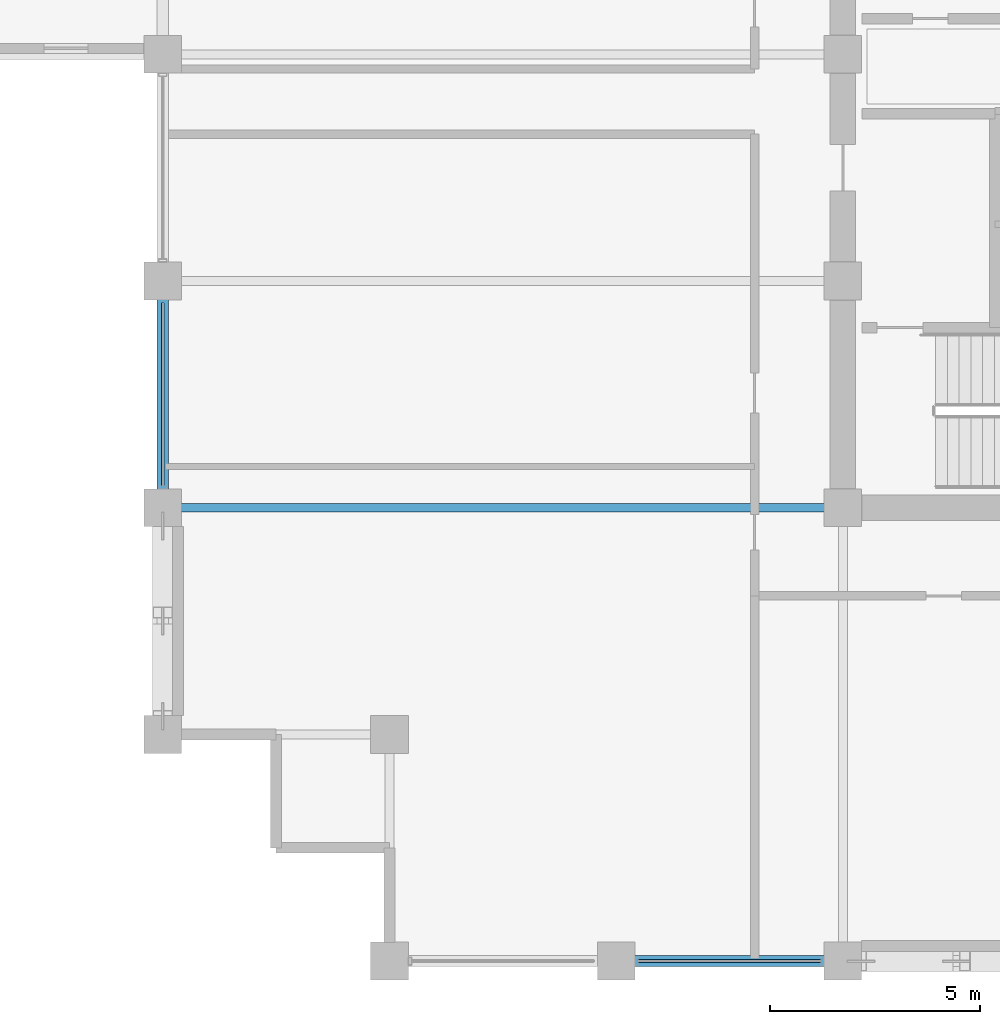
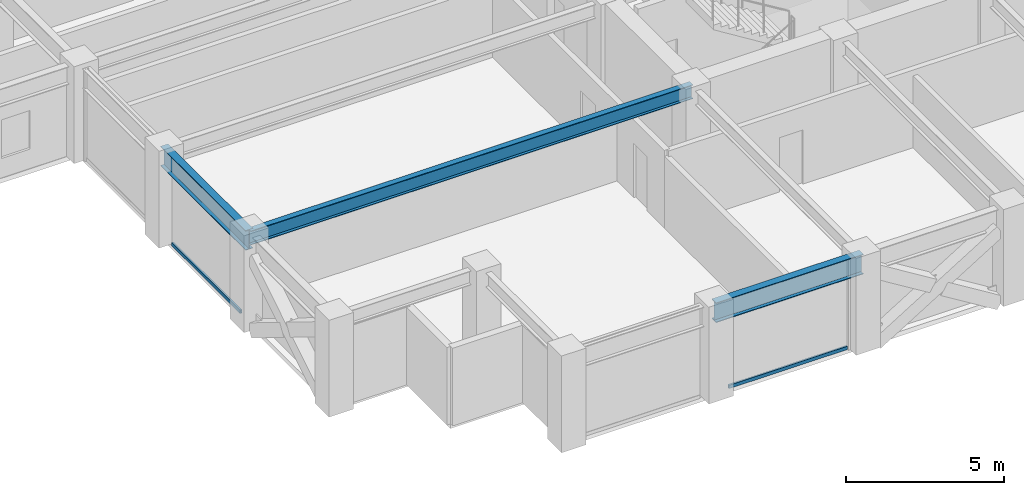
# One storey, part 3 of 28: 3 beams, 2 members, 2 elements without a shape of their own.
"""IFC4 building model written with IfcOpenShell, lengths in metres."""

import ifcopenshell
import ifcopenshell.guid

model = None  # the IFC model being written
_history = None  # IfcOwnerHistory: only IFC2X3 demands one
_inside = {}  # id of a spatial element -> (the spatial element, [elements in it])
_under = {}  # id of a project, library or spatial element -> (it, [spatial elements below it])
_declared = {}  # id of a project -> (the project, [libraries it declares])
_typed = {}  # id of a type object -> (the type object, [elements of that type])
_made_of = {}  # id of a material, layer set ... -> (it, [elements and type objects made of it])


def new_model(schema):
    """Start an empty IFC model of exactly this schema.

    Asked for "IFC4X3", IfcOpenShell would pick the latest addendum, in which some entities
    have other attributes; the version numbers below select the first issue.
    IFC2X3 requires an IfcOwnerHistory on every rooted entity: one is made here for all.
    """
    global model, _history
    if schema == "IFC4X3":
        model = ifcopenshell.file(schema_version=(4, 3, 0, 0))
    else:
        model = ifcopenshell.file(schema=schema)
    _inside.clear()
    _under.clear()
    _declared.clear()
    _typed.clear()
    _made_of.clear()
    _history = None
    if model.schema == "IFC2X3":
        org = make("IfcOrganization", Name="unknown")
        user = make(
            "IfcPersonAndOrganization",
            ThePerson=make("IfcPerson", FamilyName="unknown"),
            TheOrganization=org,
        )
        app = make(
            "IfcApplication",
            ApplicationDeveloper=org,
            Version="unknown",
            ApplicationFullName="unknown",
            ApplicationIdentifier="unknown",
        )
        _history = make(
            "IfcOwnerHistory",
            OwningUser=user,
            OwningApplication=app,
            ChangeAction="ADDED",
            CreationDate=0,
        )
    return model


def make(cls, **values):
    """One entity of the class cls with the attributes given. An attribute that is None is left unset."""
    return model.create_entity(
        cls, **{name: value for name, value in values.items() if value is not None}
    )


def rooted(cls, **values):
    """An entity with a GlobalId (a new one), such as an element, a storey or a relation."""
    return make(cls, GlobalId=ifcopenshell.guid.new(), OwnerHistory=_history, **values)


def si_unit(unit_type, name, prefix=None):
    """IfcSIUnit, for example si_unit("LENGTHUNIT", "METRE", prefix="MILLI")."""
    return make("IfcSIUnit", UnitType=unit_type, Prefix=prefix, Name=name)


def assignment(units):
    """IfcUnitAssignment: the units of a project."""
    return None if units is None else make("IfcUnitAssignment", Units=units)


def point(xyz):
    """IfcCartesianPoint."""
    return None if xyz is None else make("IfcCartesianPoint", Coordinates=xyz)


def direction(xyz):
    """IfcDirection."""
    return None if xyz is None else make("IfcDirection", DirectionRatios=xyz)


def frame(location, z_axis=None, x_axis=None):
    """IfcAxis2Placement3D, a coordinate frame: its origin and axes. An axis left out is left unset."""
    return make(
        "IfcAxis2Placement3D",
        Location=point(location),
        Axis=direction(z_axis),
        RefDirection=direction(x_axis),
    )


def frame_2d(location, x_axis=None):
    """IfcAxis2Placement2D, a coordinate frame in the plane: its origin and x axis."""
    return make(
        "IfcAxis2Placement2D", Location=point(location), RefDirection=direction(x_axis)
    )


def origin():
    """The frame at (0, 0, 0) with its axes left unset."""
    return frame((0.0, 0.0, 0.0))


def origin_2d():
    """The frame at (0, 0) in the plane with its x axis left unset."""
    return frame_2d((0.0, 0.0))


def place(relative_to, where):
    """IfcLocalPlacement: puts the frame where relative to a parent placement (None: the world)."""
    return make(
        "IfcLocalPlacement", PlacementRelTo=relative_to, RelativePlacement=where
    )


def context(
    kind, dimensions, precision=None, world=None, true_north=None, identifier=None
):
    """IfcGeometricRepresentationContext, for example the 3D "Model" context."""
    return make(
        "IfcGeometricRepresentationContext",
        ContextIdentifier=identifier,
        ContextType=kind,
        CoordinateSpaceDimension=dimensions,
        Precision=precision,
        WorldCoordinateSystem=world,
        TrueNorth=true_north,
    )


def subcontext(parent, identifier, kind, view, scale=None):
    """IfcGeometricRepresentationSubContext, for example "Body" below "Model"."""
    return make(
        "IfcGeometricRepresentationSubContext",
        ContextIdentifier=identifier,
        ContextType=kind,
        ParentContext=parent,
        TargetScale=scale,
        TargetView=view,
    )


def project(units=None, contexts=None):
    """IfcProject with its units and contexts."""
    return rooted(
        "IfcProject",
        Name="project",
        RepresentationContexts=contexts,
        UnitsInContext=assignment(units),
    )


def spatial(cls, under=None, at=None, **own):
    """A site, building, storey or space (cls), placed at a placement, below another one or the project."""
    s = rooted(cls, ObjectPlacement=at, **own)
    if under is not None:
        _under.setdefault(under.id(), (under, []))[1].append(s)
    return s


def profile(cls, at=None, kind="AREA", **sizes):
    """A parametric profile (cls). Its sizes go by their IFC names, for example OverallWidth=200.0."""
    return make(cls, ProfileType=kind, Position=at, **sizes)


def hollow_rectangle(**sizes):
    """IfcRectangleHollowProfileDef."""
    return profile("IfcRectangleHollowProfileDef", **sizes)


def i_section(**sizes):
    """IfcIShapeProfileDef."""
    return profile("IfcIShapeProfileDef", **sizes)


def extrude(swept, where, along, depth):
    """IfcExtrudedAreaSolid: the profile swept, set in the frame where, extruded along a direction by depth."""
    return make(
        "IfcExtrudedAreaSolid",
        SweptArea=swept,
        Position=where,
        ExtrudedDirection=direction(along),
        Depth=depth,
    )


def shape(context_of_items, identifier, shape_type, items):
    """IfcShapeRepresentation: the items that make up one representation, for example the "Body"."""
    return make(
        "IfcShapeRepresentation",
        ContextOfItems=context_of_items,
        RepresentationIdentifier=identifier,
        RepresentationType=shape_type,
        Items=items,
    )


def material(Name=None, Category=None):
    """IfcMaterial."""
    return make("IfcMaterial", Name=Name, Category=Category)


def layer(
    of_material, thickness, ventilated=None, Name=None, Category=None, Priority=None
):
    """IfcMaterialLayer: one layer of a wall or slab, of a material (None: an air gap)."""
    return make(
        "IfcMaterialLayer",
        Material=of_material,
        LayerThickness=thickness,
        IsVentilated=ventilated,
        Name=Name,
        Category=Category,
        Priority=Priority,
    )


def layer_set(layers, Name=None):
    """IfcMaterialLayerSet."""
    return make("IfcMaterialLayerSet", MaterialLayers=layers, LayerSetName=Name)


def material_profile(
    of_material, cross_section, Name=None, Category=None, Priority=None
):
    """IfcMaterialProfile: a cross section and its material."""
    return make(
        "IfcMaterialProfile",
        Name=Name,
        Material=of_material,
        Profile=cross_section,
        Priority=Priority,
        Category=Category,
    )


def profile_set(profiles, Name=None, composite=None):
    """IfcMaterialProfileSet."""
    return make(
        "IfcMaterialProfileSet",
        Name=Name,
        MaterialProfiles=profiles,
        CompositeProfile=composite,
    )


def made_of(thing, what):
    """Note that an element or type object is made of a material, layer set ...; save() writes the relation."""
    if what is not None:
        _made_of.setdefault(what.id(), (what, []))[1].append(thing)
    return thing


def type_object(cls, material=None, **own):
    """A type object (cls), such as IfcWallType, which elements share."""
    return made_of(rooted(cls, **own), material)


def element(
    cls,
    number,
    at=None,
    inside=None,
    cuts=None,
    type_object=None,
    material=None,
    context=None,
    identifier="Body",
    shape_type=None,
    held_by="IfcProductDefinitionShape",
    body=None,
    shapes=None,
    **own,
):
    """One element of the class cls, such as IfcWall. Its Tag is "e" and its number.

    at: its placement. inside: the storey or other place that contains it. cuts: it is an
    opening in that element (IfcRelVoidsElement). A single representation is given by context,
    identifier, shape_type and body (its items); several are given by shapes. held_by: the class
    of the entity that holds the representations. save() writes the other relations.
    """
    e = rooted(cls, Tag="e%d" % number, ObjectPlacement=at, **own)
    if body is not None:
        shapes = [shape(context, identifier, shape_type, body)]
    if shapes is not None:
        e.Representation = make(held_by, Representations=shapes)
    if inside is not None:
        _inside.setdefault(inside.id(), (inside, []))[1].append(e)
    if cuts is not None:
        rooted(
            "IfcRelVoidsElement", RelatingBuildingElement=cuts, RelatedOpeningElement=e
        )
    if type_object is not None:
        _typed.setdefault(type_object.id(), (type_object, []))[1].append(e)
    return made_of(e, material)


def aggregate(whole, parts):
    """IfcRelAggregates: a whole, such as a stair, and the parts it consists of."""
    return rooted("IfcRelAggregates", RelatingObject=whole, RelatedObjects=parts)


def save(model, path):
    """Write the relations noted so far, then the file.

    IfcRelAggregates (storeys below a building ...), IfcRelContainedInSpatialStructure (elements
    in a storey), IfcRelDefinesByType, IfcRelAssociatesMaterial and IfcRelDeclares: one each for
    every whole, place, type object, material and project.
    """
    for whole, parts in _under.values():
        aggregate(whole, parts)
    for where, things in _inside.values():
        rooted(
            "IfcRelContainedInSpatialStructure",
            RelatedElements=things,
            RelatingStructure=where,
        )
    for kind, things in _typed.values():
        rooted("IfcRelDefinesByType", RelatedObjects=things, RelatingType=kind)
    for what, things in _made_of.values():
        rooted("IfcRelAssociatesMaterial", RelatedObjects=things, RelatingMaterial=what)
    for by, libraries in _declared.values():
        rooted("IfcRelDeclares", RelatingContext=by, RelatedDefinitions=libraries)
    model.write(path)


model = new_model("IFC4")

# Units and contexts
model_context = context("Model", 3, precision=1e-05, world=origin(), true_north=direction((0.0, 1.0)))
body_context = subcontext(model_context, "Body", "Model", "MODEL_VIEW")
ifc_project = project(units=[si_unit("LENGTHUNIT", "METRE"), si_unit("AREAUNIT", "SQUARE_METRE"), si_unit("VOLUMEUNIT", "CUBIC_METRE"), si_unit("PLANEANGLEUNIT", "RADIAN"), si_unit("MASSUNIT", "GRAM", prefix="KILO")], contexts=[model_context])

# Site, building, storey
site_placement = place(None, origin())
site = spatial("IfcSite", under=ifc_project, at=site_placement, CompositionType="ELEMENT")
building_placement = place(site_placement, origin())
building = spatial("IfcBuilding", under=site, at=building_placement, Name="Surkhivell Harbour Commons", CompositionType="ELEMENT")
storey_placement = place(building_placement, frame((0.0, 0.0, 178.5)))
storey = spatial("IfcBuildingStorey", under=building, at=storey_placement, Name="L46", CompositionType="ELEMENT", Elevation=178.5)

# Beams
ifc_material_1 = material(Name="Steel S355", Category="steel")
ifc_material_profile_1 = material_profile(ifc_material_1, i_section(OverallWidth=0.2119140625, OverallDepth=0.5439453125, WebThickness=0.0126953125, FlangeThickness=0.021240234375, at=origin_2d()), Name="UB533x210x122")
ifc_profile_set_1 = profile_set([ifc_material_profile_1], Name="Steel S355")
beam_type_1 = type_object("IfcBeamType", Name="BM-GRD-533A", PredefinedType="BEAM", material=ifc_profile_set_1)
beam_1_placement = place(storey_placement, frame((-27.0, -10.800048828125, 3.298095703125), z_axis=(1.0, 0.0, 0.0), x_axis=(0.0, 1.0, 0.0)))
element("IfcBeam", 1, at=beam_1_placement, inside=storey, type_object=beam_type_1, Name="L46 Floor Girder (-27.0,-10.8)", PredefinedType="BEAM", context=body_context, shape_type="SweptSolid", body=[
    extrude(i_section(OverallWidth=0.2119140625, OverallDepth=0.5439453125, WebThickness=0.0126953125, FlangeThickness=0.021240234375, at=origin_2d()), origin(), (0.0, 0.0, 1.0), 16.199951171875),
])
ifc_material_profile_2 = material_profile(ifc_material_1, i_section(OverallWidth=0.26806640625, OverallDepth=0.77001953125, WebThickness=0.015625, FlangeThickness=0.025390625, at=origin_2d()), Name="UB762x267x197")
ifc_profile_set_2 = profile_set([ifc_material_profile_2], Name="Steel S355")
beam_type_2 = type_object("IfcBeamType", Name="BM-SPN-762", PredefinedType="SPANDREL", material=ifc_profile_set_2)
beam_2_placement = place(storey_placement, frame((-27.0, -10.800048828125, 3.18505859375), z_axis=(0.0, 1.0, 0.0), x_axis=(-1.0, 0.0, 0.0)))
element("IfcBeam", 2, at=beam_2_placement, inside=storey, type_object=beam_type_2, Name="L46 Tube Spandrel (-27.0,-10.8)", PredefinedType="SPANDREL", context=body_context, shape_type="SweptSolid", body=[
    extrude(i_section(OverallWidth=0.26806640625, OverallDepth=0.77001953125, WebThickness=0.015625, FlangeThickness=0.025390625, at=origin_2d()), origin(), (0.0, 0.0, 1.0), 5.400146484375),
])
beam_3_placement = place(storey_placement, frame((-16.199951171875, -21.60009765625, 3.18505859375), z_axis=(1.0, 0.0, 0.0), x_axis=(0.0, 1.0, 0.0)))
element("IfcBeam", 3, at=beam_3_placement, inside=storey, type_object=beam_type_2, Name="L46 Tube Spandrel (-16.2,-21.6)", PredefinedType="SPANDREL", context=body_context, shape_type="SweptSolid", body=[
    extrude(i_section(OverallWidth=0.26806640625, OverallDepth=0.77001953125, WebThickness=0.015625, FlangeThickness=0.025390625, at=origin_2d()), origin(), (0.0, 0.0, 1.0), 5.39990234375),
])

# Curtain wall, member
ifc_material_2 = material(Name="Anodised pale-metal aluminium and insulated glazing", Category="aluminium")
ifc_layer = layer(ifc_material_2, 0.18994140625)
ifc_layer_set = layer_set([ifc_layer], Name="Anodised pale-metal aluminium and insulated glazing")
curtain_wall_type = type_object("IfcCurtainWallType", Name="CW-SYS-Z3", PredefinedType="NOTDEFINED", material=ifc_layer_set)
curtain_wall_1_placement = place(storey_placement, origin())
curtain_wall_1 = element("IfcCurtainWall", 4, at=curtain_wall_1_placement, inside=storey, type_object=curtain_wall_type, Name="L46 Curtain Wall CW-L46-E00S1", PredefinedType="NOTDEFINED")
ifc_material_3 = material(Name="Champagne anodised aluminium alloy 6063-T6", Category="aluminium")
ifc_material_profile_3 = material_profile(ifc_material_3, hollow_rectangle(XDim=0.070068359375, YDim=0.1298828125, WallThickness=0.00341796875, at=origin_2d()), Name="ALU-TRAN-70x130")
ifc_profile_set_3 = profile_set([ifc_material_profile_3], Name="Champagne anodised aluminium alloy 6063-T6")
member_type = type_object("IfcMemberType", Name="CWT-130", PredefinedType="USERDEFINED", material=ifc_profile_set_3)
member_1_placement = place(storey_placement, frame((-15.673095703125, -21.60009765625, 0.06494140625), z_axis=(1.0, 0.0, 0.0), x_axis=(0.0, 1.0, 0.0)))
member_1 = element("IfcMember", 5, at=member_1_placement, type_object=member_type, Name="CW-Z3 transom 2.1", ObjectType="TRANSOM", PredefinedType="USERDEFINED", context=body_context, shape_type="SweptSolid", body=[
    extrude(hollow_rectangle(XDim=0.070068359375, YDim=0.1298828125, WallThickness=0.00341796875, at=origin_2d()), origin(), (0.0, 0.0, 1.0), 4.34619140625),
])
aggregate(curtain_wall_1, [member_1])

curtain_wall_2_placement = place(storey_placement, origin())
curtain_wall_2 = element("IfcCurtainWall", 6, at=curtain_wall_2_placement, inside=storey, type_object=curtain_wall_type, Name="L46 Curtain Wall CW-L46-E12R1S1", PredefinedType="NOTDEFINED")
member_2_placement = place(storey_placement, frame((-27.0, -10.27294921875, 0.06494140625), z_axis=(0.0, 1.0, 0.0), x_axis=(-1.0, 0.0, 0.0)))
member_2 = element("IfcMember", 7, at=member_2_placement, type_object=member_type, Name="CW-Z3 transom 1.1", ObjectType="TRANSOM", PredefinedType="USERDEFINED", context=body_context, shape_type="SweptSolid", body=[
    extrude(hollow_rectangle(XDim=0.070068359375, YDim=0.1298828125, WallThickness=0.00341796875, at=origin_2d()), origin(), (0.0, 0.0, 1.0), 4.345947265625),
])
aggregate(curtain_wall_2, [member_2])

save(model, "model.ifc")
